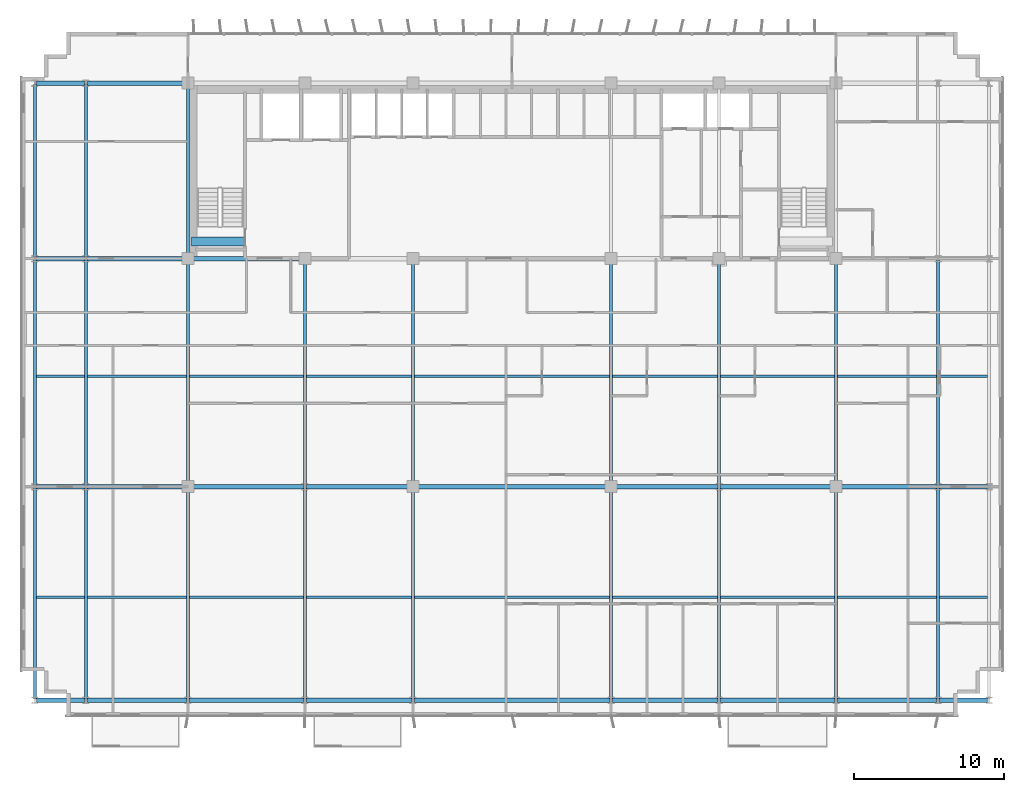
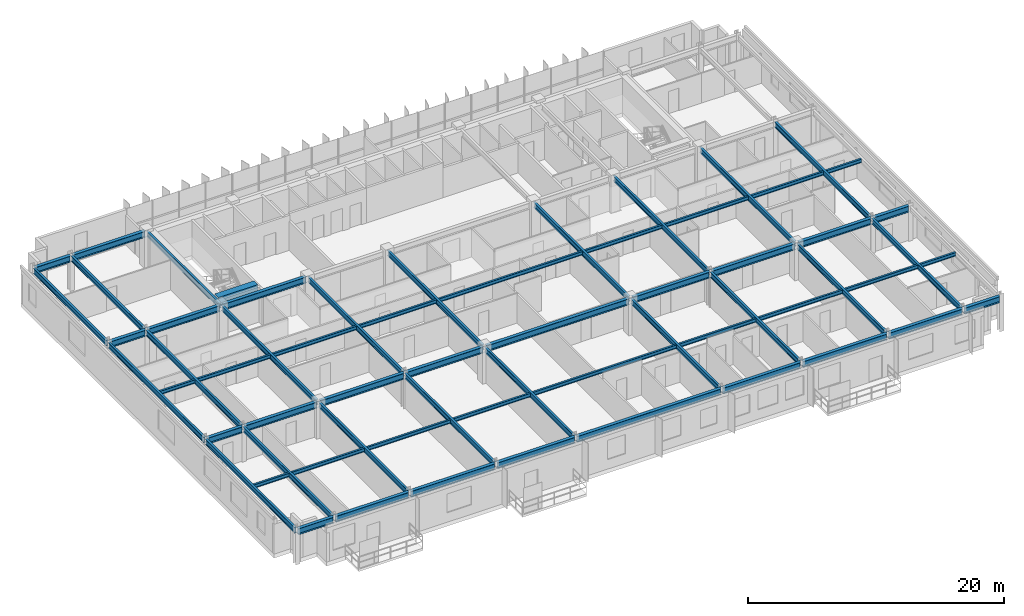
# One storey, part 4 of 22: 63 beams.
"""IFC4 building model written with IfcOpenShell, lengths in metres."""

from ifc_helpers import new_model, si_unit, direction, frame, origin, origin_2d, place, context, subcontext, project, spatial, rectangle, i_section, extrude, source, transform, mapped, material, material_profile, profile_set, type_object, element, save


model = new_model("IFC4")

# Units and contexts
model_context = context("Model", 3, precision=1e-05, world=origin(), true_north=direction((0.0, 1.0)))
body_context = subcontext(model_context, "Body", "Model", "MODEL_VIEW")
ifc_project = project(units=[si_unit("LENGTHUNIT", "METRE"), si_unit("AREAUNIT", "SQUARE_METRE"), si_unit("VOLUMEUNIT", "CUBIC_METRE"), si_unit("PLANEANGLEUNIT", "RADIAN"), si_unit("MASSUNIT", "GRAM", prefix="KILO")], contexts=[model_context])

# Site, building, storey
site_placement = place(None, origin())
site = spatial("IfcSite", under=ifc_project, at=site_placement, CompositionType="ELEMENT")
building_placement = place(site_placement, origin())
building = spatial("IfcBuilding", under=site, at=building_placement, Name="Trelvane Seafront Commons", CompositionType="ELEMENT")
storey_placement = place(building_placement, frame((0.0, 0.0, 81.699951171875)))
storey = spatial("IfcBuildingStorey", under=building, at=storey_placement, Name="L20", CompositionType="ELEMENT", Elevation=81.699951171875)

# Beams
ifc_material_1 = material(Name="Concrete C60/75", Category="concrete")
ifc_material_profile_1 = material_profile(ifc_material_1, rectangle(XDim=0.60009765625, YDim=0.89990234375, at=origin_2d()), Name="RC-600x900")
ifc_profile_set_1 = profile_set([ifc_material_profile_1], Name="Concrete C60/75")
beam_type_1 = type_object("IfcBeamType", Name="STR-LNT-RC600x900", PredefinedType="LINTEL", material=ifc_profile_set_1)
shared_shape_1 = source(origin(), body_context, "Body", "SweptSolid", [
    extrude(rectangle(XDim=0.60009765625, YDim=0.89990234375, at=origin_2d()), origin(), (0.0, 0.0, 1.0), 3.5498046875),
])
beam_1_placement = place(storey_placement, frame((15.85009765625, 34.550048828125, 2.89013671875), z_axis=(1.0, 0.0, 0.0), x_axis=(0.0, 1.0, 0.0)))
element("IfcBeam", 1, at=beam_1_placement, inside=storey, type_object=beam_type_1, Name="L20 Core Coupling Lintel Beam CB-85", PredefinedType="LINTEL", context=body_context, shape_type="MappedRepresentation", body=[
    mapped(shared_shape_1, transform((0.0, 0.0, 0.0), x_axis=(1.0, 0.0, 0.0), y_axis=(0.0, 1.0, 0.0), z_axis=(0.0, 0.0, 1.0), scale=1.0)),
])
ifc_material_2 = material(Name="Steel SM355 (S355)", Category="steel")
ifc_material_profile_2 = material_profile(ifc_material_2, i_section(OverallWidth=0.300048828125, OverallDepth=0.587890625, WebThickness=0.011962890625, FlangeThickness=0.02001953125, at=origin_2d()), Name="H-588x300x12x20")
ifc_profile_set_2 = profile_set([ifc_material_profile_2], Name="Steel SM355 (S355)")
beam_type_2 = type_object("IfcBeamType", Name="STR-BM-H588", PredefinedType="BEAM", material=ifc_profile_set_2)
shared_shape_2 = source(origin(), body_context, "Body", "SweptSolid", [
    extrude(i_section(OverallWidth=0.300048828125, OverallDepth=0.587890625, WebThickness=0.011962890625, FlangeThickness=0.02001953125, at=origin_2d()), origin(), (0.0, 0.0, 1.0), 7.550048828125),
])
beam_2_placement = place(storey_placement, frame((15.75, 18.199951171875, 3.046142578125), z_axis=(1.0, 0.0, 0.0), x_axis=(0.0, 1.0, 0.0)))
element("IfcBeam", 2, at=beam_2_placement, inside=storey, type_object=beam_type_2, Name="L20 Primary Girder G-12", PredefinedType="BEAM", context=body_context, shape_type="MappedRepresentation", body=[
    mapped(shared_shape_2, transform((0.0, 0.0, 0.0), x_axis=(1.0, 0.0, 0.0), y_axis=(0.0, 1.0, 0.0), z_axis=(0.0, 0.0, 1.0), scale=1.0)),
])
shared_shape_3 = source(origin(), body_context, "Body", "SweptSolid", [
    extrude(i_section(OverallWidth=0.300048828125, OverallDepth=0.587890625, WebThickness=0.011962890625, FlangeThickness=0.02001953125, at=origin_2d()), origin(), (0.0, 0.0, 1.0), 3.199951171875),
])
for number, where, z_axis, x_axis, name in (
    (3, (5.5, 3.949951171875, 3.046142578125), (1.0, 0.0, 0.0), (0.0, 1.0, 0.0), "L20 Primary Girder G-01"),
    (4, (65.699951171875, 3.949951171875, 3.046142578125), (1.0, 0.0, 0.0), (0.0, 1.0, 0.0), "L20 Primary Girder G-09"),
    (5, (5.5, 18.199951171875, 3.046142578125), (1.0, 0.0, 0.0), (0.0, 1.0, 0.0), "L20 Primary Girder G-10"),
    (6, (65.699951171875, 18.199951171875, 3.046142578125), (1.0, 0.0, 0.0), (0.0, 1.0, 0.0), "L20 Primary Girder G-18"),
    (7, (5.5, 33.39990234375, 3.046142578125), (1.0, 0.0, 0.0), (0.0, 1.0, 0.0), "L20 Primary Girder G-19"),
    (8, (5.5, 45.10009765625, 3.046142578125), (1.0, 0.0, 0.0), (0.0, 1.0, 0.0), "L20 Primary Girder G-28"),
):
    element("IfcBeam", number, at=place(storey_placement, frame(where, z_axis=z_axis, x_axis=x_axis)), inside=storey, type_object=beam_type_2, Name=name, PredefinedType="BEAM", context=body_context, shape_type="MappedRepresentation", body=[
        mapped(shared_shape_3, transform((0.0, 0.0, 0.0), x_axis=(1.0, 0.0, 0.0), y_axis=(0.0, 1.0, 0.0), z_axis=(0.0, 0.0, 1.0), scale=1.0)),
    ])
shared_shape_4 = source(origin(), body_context, "Body", "SweptSolid", [
    extrude(i_section(OverallWidth=0.300048828125, OverallDepth=0.587890625, WebThickness=0.011962890625, FlangeThickness=0.02001953125, at=origin_2d()), origin(), (0.0, 0.0, 1.0), 6.60009765625),
])
for number, where, z_axis, x_axis, name in (
    (9, (8.89990234375, 3.949951171875, 3.046142578125), (1.0, 0.0, 0.0), (0.0, 1.0, 0.0), "L20 Primary Girder G-02"),
    (10, (58.89990234375, 3.949951171875, 3.046142578125), (1.0, 0.0, 0.0), (0.0, 1.0, 0.0), "L20 Primary Girder G-08"),
):
    element("IfcBeam", number, at=place(storey_placement, frame(where, z_axis=z_axis, x_axis=x_axis)), inside=storey, type_object=beam_type_2, Name=name, PredefinedType="BEAM", context=body_context, shape_type="MappedRepresentation", body=[
        mapped(shared_shape_4, transform((0.0, 0.0, 0.0), x_axis=(1.0, 0.0, 0.0), y_axis=(0.0, 1.0, 0.0), z_axis=(0.0, 0.0, 1.0), scale=1.0)),
    ])
shared_shape_5 = source(origin(), body_context, "Body", "SweptSolid", [
    extrude(i_section(OverallWidth=0.300048828125, OverallDepth=0.587890625, WebThickness=0.011962890625, FlangeThickness=0.02001953125, at=origin_2d()), origin(), (0.0, 0.0, 1.0), 7.60009765625),
])
beam_3_placement = place(storey_placement, frame((15.699951171875, 3.949951171875, 3.046142578125), z_axis=(1.0, 0.0, 0.0), x_axis=(0.0, 1.0, 0.0)))
element("IfcBeam", 11, at=beam_3_placement, inside=storey, type_object=beam_type_2, Name="L20 Primary Girder G-03", PredefinedType="BEAM", context=body_context, shape_type="MappedRepresentation", body=[
    mapped(shared_shape_5, transform((0.0, 0.0, 0.0), x_axis=(1.0, 0.0, 0.0), y_axis=(0.0, 1.0, 0.0), z_axis=(0.0, 0.0, 1.0), scale=1.0)),
])
shared_shape_6 = source(origin(), body_context, "Body", "SweptSolid", [
    extrude(i_section(OverallWidth=0.300048828125, OverallDepth=0.587890625, WebThickness=0.011962890625, FlangeThickness=0.02001953125, at=origin_2d()), origin(), (0.0, 0.0, 1.0), 7.0),
])
for number, where, z_axis, x_axis, name in (
    (12, (23.5, 3.949951171875, 3.046142578125), (1.0, 0.0, 0.0), (0.0, 1.0, 0.0), "L20 Primary Girder G-04"),
    (13, (43.89990234375, 3.949951171875, 3.046142578125), (1.0, 0.0, 0.0), (0.0, 1.0, 0.0), "L20 Primary Girder G-06"),
):
    element("IfcBeam", number, at=place(storey_placement, frame(where, z_axis=z_axis, x_axis=x_axis)), inside=storey, type_object=beam_type_2, Name=name, PredefinedType="BEAM", context=body_context, shape_type="MappedRepresentation", body=[
        mapped(shared_shape_6, transform((0.0, 0.0, 0.0), x_axis=(1.0, 0.0, 0.0), y_axis=(0.0, 1.0, 0.0), z_axis=(0.0, 0.0, 1.0), scale=1.0)),
    ])
shared_shape_7 = source(origin(), body_context, "Body", "SweptSolid", [
    extrude(i_section(OverallWidth=0.300048828125, OverallDepth=0.587890625, WebThickness=0.011962890625, FlangeThickness=0.02001953125, at=origin_2d()), origin(), (0.0, 0.0, 1.0), 13.0),
])
beam_4_placement = place(storey_placement, frame((30.699951171875, 3.949951171875, 3.046142578125), z_axis=(1.0, 0.0, 0.0), x_axis=(0.0, 1.0, 0.0)))
element("IfcBeam", 14, at=beam_4_placement, inside=storey, type_object=beam_type_2, Name="L20 Primary Girder G-05", PredefinedType="BEAM", context=body_context, shape_type="MappedRepresentation", body=[
    mapped(shared_shape_7, transform((0.0, 0.0, 0.0), x_axis=(1.0, 0.0, 0.0), y_axis=(0.0, 1.0, 0.0), z_axis=(0.0, 0.0, 1.0), scale=1.0)),
])
shared_shape_8 = source(origin(), body_context, "Body", "SweptSolid", [
    extrude(i_section(OverallWidth=0.300048828125, OverallDepth=0.587890625, WebThickness=0.011962890625, FlangeThickness=0.02001953125, at=origin_2d()), origin(), (0.0, 0.0, 1.0), 7.599853515625),
])
beam_5_placement = place(storey_placement, frame((51.10009765625, 3.949951171875, 3.046142578125), z_axis=(1.0, 0.0, 0.0), x_axis=(0.0, 1.0, 0.0)))
element("IfcBeam", 15, at=beam_5_placement, inside=storey, type_object=beam_type_2, Name="L20 Primary Girder G-07", PredefinedType="BEAM", context=body_context, shape_type="MappedRepresentation", body=[
    mapped(shared_shape_8, transform((0.0, 0.0, 0.0), x_axis=(1.0, 0.0, 0.0), y_axis=(0.0, 1.0, 0.0), z_axis=(0.0, 0.0, 1.0), scale=1.0)),
])
shared_shape_9 = source(origin(), body_context, "Body", "SweptSolid", [
    extrude(i_section(OverallWidth=0.300048828125, OverallDepth=0.587890625, WebThickness=0.011962890625, FlangeThickness=0.02001953125, at=origin_2d()), origin(), (0.0, 0.0, 1.0), 6.550048828125),
])
for number, where, z_axis, x_axis, name in (
    (16, (8.89990234375, 18.199951171875, 3.046142578125), (1.0, 0.0, 0.0), (0.0, 1.0, 0.0), "L20 Primary Girder G-11"),
    (17, (58.949951171875, 18.199951171875, 3.046142578125), (1.0, 0.0, 0.0), (0.0, 1.0, 0.0), "L20 Primary Girder G-17"),
    (18, (8.89990234375, 33.39990234375, 3.046142578125), (1.0, 0.0, 0.0), (0.0, 1.0, 0.0), "L20 Primary Girder G-20"),
    (19, (8.89990234375, 45.10009765625, 3.046142578125), (1.0, 0.0, 0.0), (0.0, 1.0, 0.0), "L20 Primary Girder G-29"),
):
    element("IfcBeam", number, at=place(storey_placement, frame(where, z_axis=z_axis, x_axis=x_axis)), inside=storey, type_object=beam_type_2, Name=name, PredefinedType="BEAM", context=body_context, shape_type="MappedRepresentation", body=[
        mapped(shared_shape_9, transform((0.0, 0.0, 0.0), x_axis=(1.0, 0.0, 0.0), y_axis=(0.0, 1.0, 0.0), z_axis=(0.0, 0.0, 1.0), scale=1.0)),
    ])
shared_shape_10 = source(origin(), body_context, "Body", "SweptSolid", [
    extrude(i_section(OverallWidth=0.300048828125, OverallDepth=0.587890625, WebThickness=0.011962890625, FlangeThickness=0.02001953125, at=origin_2d()), origin(), (0.0, 0.0, 1.0), 6.949951171875),
])
for number, where, z_axis, x_axis, name in (
    (20, (23.5, 18.199951171875, 3.046142578125), (1.0, 0.0, 0.0), (0.0, 1.0, 0.0), "L20 Primary Girder G-13"),
    (21, (43.949951171875, 18.199951171875, 3.046142578125), (1.0, 0.0, 0.0), (0.0, 1.0, 0.0), "L20 Primary Girder G-15"),
):
    element("IfcBeam", number, at=place(storey_placement, frame(where, z_axis=z_axis, x_axis=x_axis)), inside=storey, type_object=beam_type_2, Name=name, PredefinedType="BEAM", context=body_context, shape_type="MappedRepresentation", body=[
        mapped(shared_shape_10, transform((0.0, 0.0, 0.0), x_axis=(1.0, 0.0, 0.0), y_axis=(0.0, 1.0, 0.0), z_axis=(0.0, 0.0, 1.0), scale=1.0)),
    ])
shared_shape_11 = source(origin(), body_context, "Body", "SweptSolid", [
    extrude(i_section(OverallWidth=0.300048828125, OverallDepth=0.587890625, WebThickness=0.011962890625, FlangeThickness=0.02001953125, at=origin_2d()), origin(), (0.0, 0.0, 1.0), 12.89990234375),
])
beam_6_placement = place(storey_placement, frame((30.75, 18.199951171875, 3.046142578125), z_axis=(1.0, 0.0, 0.0), x_axis=(0.0, 1.0, 0.0)))
element("IfcBeam", 22, at=beam_6_placement, inside=storey, type_object=beam_type_2, Name="L20 Primary Girder G-14", PredefinedType="BEAM", context=body_context, shape_type="MappedRepresentation", body=[
    mapped(shared_shape_11, transform((0.0, 0.0, 0.0), x_axis=(1.0, 0.0, 0.0), y_axis=(0.0, 1.0, 0.0), z_axis=(0.0, 0.0, 1.0), scale=1.0)),
])
shared_shape_12 = source(origin(), body_context, "Body", "SweptSolid", [
    extrude(i_section(OverallWidth=0.300048828125, OverallDepth=0.587890625, WebThickness=0.011962890625, FlangeThickness=0.02001953125, at=origin_2d()), origin(), (0.0, 0.0, 1.0), 7.5498046875),
])
beam_7_placement = place(storey_placement, frame((51.10009765625, 18.199951171875, 3.046142578125), z_axis=(1.0, 0.0, 0.0), x_axis=(0.0, 1.0, 0.0)))
element("IfcBeam", 23, at=beam_7_placement, inside=storey, type_object=beam_type_2, Name="L20 Primary Girder G-16", PredefinedType="BEAM", context=body_context, shape_type="MappedRepresentation", body=[
    mapped(shared_shape_12, transform((0.0, 0.0, 0.0), x_axis=(1.0, 0.0, 0.0), y_axis=(0.0, 1.0, 0.0), z_axis=(0.0, 0.0, 1.0), scale=1.0)),
])
shared_shape_13 = source(origin(), body_context, "Body", "SweptSolid", [
    extrude(i_section(OverallWidth=0.300048828125, OverallDepth=0.587890625, WebThickness=0.011962890625, FlangeThickness=0.02001953125, at=origin_2d()), origin(), (0.0, 0.0, 1.0), 7.5),
])
beam_8_placement = place(storey_placement, frame((15.75, 33.39990234375, 3.046142578125), z_axis=(1.0, 0.0, 0.0), x_axis=(0.0, 1.0, 0.0)))
element("IfcBeam", 24, at=beam_8_placement, inside=storey, type_object=beam_type_2, Name="L20 Primary Girder G-21", PredefinedType="BEAM", context=body_context, shape_type="MappedRepresentation", body=[
    mapped(shared_shape_13, transform((0.0, 0.0, 0.0), x_axis=(1.0, 0.0, 0.0), y_axis=(0.0, 1.0, 0.0), z_axis=(0.0, 0.0, 1.0), scale=1.0)),
])
ifc_material_profile_3 = material_profile(ifc_material_2, i_section(OverallWidth=0.199951171875, OverallDepth=0.5, WebThickness=0.010009765625, FlangeThickness=0.01611328125, at=origin_2d()), Name="H-500x200x10x16")
ifc_profile_set_3 = profile_set([ifc_material_profile_3], Name="Steel SM355 (S355)")
beam_type_3 = type_object("IfcBeamType", Name="STR-BM-H500", PredefinedType="BEAM", material=ifc_profile_set_3)
shared_shape_14 = source(origin(), body_context, "Body", "SweptSolid", [
    extrude(i_section(OverallWidth=0.199951171875, OverallDepth=0.5, WebThickness=0.010009765625, FlangeThickness=0.01611328125, at=origin_2d()), origin(), (0.0, 0.0, 1.0), 14.050048828125),
])
for number, where, z_axis, x_axis, name in (
    (25, (5.39990234375, 4.050048828125, 3.090087890625), (0.0, 1.0, 0.0), (-1.0, 0.0, 0.0), "L20 Primary Girder G-37"),
    (26, (8.800048828125, 4.050048828125, 3.090087890625), (0.0, 1.0, 0.0), (-1.0, 0.0, 0.0), "L20 Primary Girder G-40"),
    (27, (23.39990234375, 4.050048828125, 3.090087890625), (0.0, 1.0, 0.0), (-1.0, 0.0, 0.0), "L20 Primary Girder G-46"),
    (28, (51.0, 4.050048828125, 3.090087890625), (0.0, 1.0, 0.0), (-1.0, 0.0, 0.0), "L20 Primary Girder G-55"),
    (29, (65.60009765625, 4.050048828125, 3.090087890625), (0.0, 1.0, 0.0), (-1.0, 0.0, 0.0), "L20 Primary Girder G-61"),
):
    element("IfcBeam", number, at=place(storey_placement, frame(where, z_axis=z_axis, x_axis=x_axis)), inside=storey, type_object=beam_type_3, Name=name, PredefinedType="BEAM", context=body_context, shape_type="MappedRepresentation", body=[
        mapped(shared_shape_14, transform((0.0, 0.0, 0.0), x_axis=(1.0, 0.0, 0.0), y_axis=(0.0, 1.0, 0.0), z_axis=(0.0, 0.0, 1.0), scale=1.0)),
    ])
shared_shape_15 = source(origin(), body_context, "Body", "SweptSolid", [
    extrude(i_section(OverallWidth=0.199951171875, OverallDepth=0.5, WebThickness=0.010009765625, FlangeThickness=0.01611328125, at=origin_2d()), origin(), (0.0, 0.0, 1.0), 15.0),
])
for number, where, z_axis, x_axis, name in (
    (30, (5.39990234375, 18.300048828125, 3.090087890625), (0.0, 1.0, 0.0), (-1.0, 0.0, 0.0), "L20 Primary Girder G-38"),
    (31, (8.800048828125, 18.300048828125, 3.090087890625), (0.0, 1.0, 0.0), (-1.0, 0.0, 0.0), "L20 Primary Girder G-41"),
    (32, (65.60009765625, 18.300048828125, 3.090087890625), (0.0, 1.0, 0.0), (-1.0, 0.0, 0.0), "L20 Primary Girder G-62"),
):
    element("IfcBeam", number, at=place(storey_placement, frame(where, z_axis=z_axis, x_axis=x_axis)), inside=storey, type_object=beam_type_3, Name=name, PredefinedType="BEAM", context=body_context, shape_type="MappedRepresentation", body=[
        mapped(shared_shape_15, transform((0.0, 0.0, 0.0), x_axis=(1.0, 0.0, 0.0), y_axis=(0.0, 1.0, 0.0), z_axis=(0.0, 0.0, 1.0), scale=1.0)),
    ])
shared_shape_16 = source(origin(), body_context, "Body", "SweptSolid", [
    extrude(i_section(OverallWidth=0.199951171875, OverallDepth=0.5, WebThickness=0.010009765625, FlangeThickness=0.01611328125, at=origin_2d()), origin(), (0.0, 0.0, 1.0), 11.5),
])
for number, where, z_axis, x_axis, name in (
    (33, (5.39990234375, 33.5, 3.090087890625), (0.0, 1.0, 0.0), (-1.0, 0.0, 0.0), "L20 Primary Girder G-39"),
    (34, (8.800048828125, 33.5, 3.090087890625), (0.0, 1.0, 0.0), (-1.0, 0.0, 0.0), "L20 Primary Girder G-42"),
):
    element("IfcBeam", number, at=place(storey_placement, frame(where, z_axis=z_axis, x_axis=x_axis)), inside=storey, type_object=beam_type_3, Name=name, PredefinedType="BEAM", context=body_context, shape_type="MappedRepresentation", body=[
        mapped(shared_shape_16, transform((0.0, 0.0, 0.0), x_axis=(1.0, 0.0, 0.0), y_axis=(0.0, 1.0, 0.0), z_axis=(0.0, 0.0, 1.0), scale=1.0)),
    ])
shared_shape_17 = source(origin(), body_context, "Body", "SweptSolid", [
    extrude(i_section(OverallWidth=0.199951171875, OverallDepth=0.5, WebThickness=0.010009765625, FlangeThickness=0.01611328125, at=origin_2d()), origin(), (0.0, 0.0, 1.0), 14.0),
])
for number, where, z_axis, x_axis, name in (
    (35, (15.60009765625, 4.050048828125, 3.090087890625), (0.0, 1.0, 0.0), (-1.0, 0.0, 0.0), "L20 Primary Girder G-43"),
    (36, (30.60009765625, 4.050048828125, 3.090087890625), (0.0, 1.0, 0.0), (-1.0, 0.0, 0.0), "L20 Primary Girder G-49"),
    (37, (43.800048828125, 4.050048828125, 3.090087890625), (0.0, 1.0, 0.0), (-1.0, 0.0, 0.0), "L20 Primary Girder G-52"),
    (38, (58.800048828125, 4.050048828125, 3.090087890625), (0.0, 1.0, 0.0), (-1.0, 0.0, 0.0), "L20 Primary Girder G-58"),
):
    element("IfcBeam", number, at=place(storey_placement, frame(where, z_axis=z_axis, x_axis=x_axis)), inside=storey, type_object=beam_type_3, Name=name, PredefinedType="BEAM", context=body_context, shape_type="MappedRepresentation", body=[
        mapped(shared_shape_17, transform((0.0, 0.0, 0.0), x_axis=(1.0, 0.0, 0.0), y_axis=(0.0, 1.0, 0.0), z_axis=(0.0, 0.0, 1.0), scale=1.0)),
    ])
shared_shape_18 = source(origin(), body_context, "Body", "SweptSolid", [
    extrude(i_section(OverallWidth=0.199951171875, OverallDepth=0.5, WebThickness=0.010009765625, FlangeThickness=0.01611328125, at=origin_2d()), origin(), (0.0, 0.0, 1.0), 14.89990234375),
])
for number, where, z_axis, x_axis, name in (
    (39, (15.60009765625, 18.35009765625, 3.090087890625), (0.0, 1.0, 0.0), (-1.0, 0.0, 0.0), "L20 Primary Girder G-44"),
    (40, (30.60009765625, 18.35009765625, 3.090087890625), (0.0, 1.0, 0.0), (-1.0, 0.0, 0.0), "L20 Primary Girder G-50"),
    (41, (43.800048828125, 18.35009765625, 3.090087890625), (0.0, 1.0, 0.0), (-1.0, 0.0, 0.0), "L20 Primary Girder G-53"),
    (42, (58.800048828125, 18.35009765625, 3.090087890625), (0.0, 1.0, 0.0), (-1.0, 0.0, 0.0), "L20 Primary Girder G-59"),
):
    element("IfcBeam", number, at=place(storey_placement, frame(where, z_axis=z_axis, x_axis=x_axis)), inside=storey, type_object=beam_type_3, Name=name, PredefinedType="BEAM", context=body_context, shape_type="MappedRepresentation", body=[
        mapped(shared_shape_18, transform((0.0, 0.0, 0.0), x_axis=(1.0, 0.0, 0.0), y_axis=(0.0, 1.0, 0.0), z_axis=(0.0, 0.0, 1.0), scale=1.0)),
    ])
shared_shape_19 = source(origin(), body_context, "Body", "SweptSolid", [
    extrude(i_section(OverallWidth=0.199951171875, OverallDepth=0.5, WebThickness=0.010009765625, FlangeThickness=0.01611328125, at=origin_2d()), origin(), (0.0, 0.0, 1.0), 11.39990234375),
])
beam_9_placement = place(storey_placement, frame((15.60009765625, 33.550048828125, 3.090087890625), z_axis=(0.0, 1.0, 0.0), x_axis=(-1.0, 0.0, 0.0)))
element("IfcBeam", 43, at=beam_9_placement, inside=storey, type_object=beam_type_3, Name="L20 Primary Girder G-45", PredefinedType="BEAM", context=body_context, shape_type="MappedRepresentation", body=[
    mapped(shared_shape_19, transform((0.0, 0.0, 0.0), x_axis=(1.0, 0.0, 0.0), y_axis=(0.0, 1.0, 0.0), z_axis=(0.0, 0.0, 1.0), scale=1.0)),
])
shared_shape_20 = source(origin(), body_context, "Body", "SweptSolid", [
    extrude(i_section(OverallWidth=0.199951171875, OverallDepth=0.5, WebThickness=0.010009765625, FlangeThickness=0.01611328125, at=origin_2d()), origin(), (0.0, 0.0, 1.0), 14.949951171875),
])
for number, where, z_axis, x_axis, name in (
    (44, (23.39990234375, 18.300048828125, 3.090087890625), (0.0, 1.0, 0.0), (-1.0, 0.0, 0.0), "L20 Primary Girder G-47"),
    (45, (51.0, 18.300048828125, 3.090087890625), (0.0, 1.0, 0.0), (-1.0, 0.0, 0.0), "L20 Primary Girder G-56"),
):
    element("IfcBeam", number, at=place(storey_placement, frame(where, z_axis=z_axis, x_axis=x_axis)), inside=storey, type_object=beam_type_3, Name=name, PredefinedType="BEAM", context=body_context, shape_type="MappedRepresentation", body=[
        mapped(shared_shape_20, transform((0.0, 0.0, 0.0), x_axis=(1.0, 0.0, 0.0), y_axis=(0.0, 1.0, 0.0), z_axis=(0.0, 0.0, 1.0), scale=1.0)),
    ])
ifc_material_profile_4 = material_profile(ifc_material_2, i_section(OverallWidth=0.175048828125, OverallDepth=0.35009765625, WebThickness=0.007080078125, FlangeThickness=0.010986328125, at=origin_2d()), Name="H-350x175x7x11")
ifc_profile_set_4 = profile_set([ifc_material_profile_4], Name="Steel SM355 (S355)")
beam_type_4 = type_object("IfcBeamType", Name="STR-JST-H350", PredefinedType="JOIST", material=ifc_profile_set_4)
shared_shape_21 = source(origin(), body_context, "Body", "SweptSolid", [
    extrude(i_section(OverallWidth=0.175048828125, OverallDepth=0.35009765625, WebThickness=0.007080078125, FlangeThickness=0.010986328125, at=origin_2d()), origin(), (0.0, 0.0, 1.0), 3.199951171875),
])
for number, where, z_axis, x_axis, name in (
    (46, (5.5, 10.824951171875, 3.1650390625), (1.0, 0.0, 0.0), (0.0, 1.0, 0.0), "L20 Secondary Floor Joist B-67"),
    (47, (65.699951171875, 10.824951171875, 3.1650390625), (1.0, 0.0, 0.0), (0.0, 1.0, 0.0), "L20 Secondary Floor Joist B-75"),
    (48, (5.5, 25.550048828125, 3.1650390625), (1.0, 0.0, 0.0), (0.0, 1.0, 0.0), "L20 Secondary Floor Joist B-76"),
    (49, (65.699951171875, 25.550048828125, 3.1650390625), (1.0, 0.0, 0.0), (0.0, 1.0, 0.0), "L20 Secondary Floor Joist B-84"),
):
    element("IfcBeam", number, at=place(storey_placement, frame(where, z_axis=z_axis, x_axis=x_axis)), inside=storey, type_object=beam_type_4, Name=name, PredefinedType="JOIST", context=body_context, shape_type="MappedRepresentation", body=[
        mapped(shared_shape_21, transform((0.0, 0.0, 0.0), x_axis=(1.0, 0.0, 0.0), y_axis=(0.0, 1.0, 0.0), z_axis=(0.0, 0.0, 1.0), scale=1.0)),
    ])
shared_shape_22 = source(origin(), body_context, "Body", "SweptSolid", [
    extrude(i_section(OverallWidth=0.175048828125, OverallDepth=0.35009765625, WebThickness=0.007080078125, FlangeThickness=0.010986328125, at=origin_2d()), origin(), (0.0, 0.0, 1.0), 6.60009765625),
])
for number, where, z_axis, x_axis, name in (
    (50, (8.89990234375, 10.824951171875, 3.1650390625), (1.0, 0.0, 0.0), (0.0, 1.0, 0.0), "L20 Secondary Floor Joist B-68"),
    (51, (58.89990234375, 10.824951171875, 3.1650390625), (1.0, 0.0, 0.0), (0.0, 1.0, 0.0), "L20 Secondary Floor Joist B-74"),
    (52, (8.89990234375, 25.550048828125, 3.1650390625), (1.0, 0.0, 0.0), (0.0, 1.0, 0.0), "L20 Secondary Floor Joist B-77"),
    (53, (58.89990234375, 25.550048828125, 3.1650390625), (1.0, 0.0, 0.0), (0.0, 1.0, 0.0), "L20 Secondary Floor Joist B-83"),
):
    element("IfcBeam", number, at=place(storey_placement, frame(where, z_axis=z_axis, x_axis=x_axis)), inside=storey, type_object=beam_type_4, Name=name, PredefinedType="JOIST", context=body_context, shape_type="MappedRepresentation", body=[
        mapped(shared_shape_22, transform((0.0, 0.0, 0.0), x_axis=(1.0, 0.0, 0.0), y_axis=(0.0, 1.0, 0.0), z_axis=(0.0, 0.0, 1.0), scale=1.0)),
    ])
shared_shape_23 = source(origin(), body_context, "Body", "SweptSolid", [
    extrude(i_section(OverallWidth=0.175048828125, OverallDepth=0.35009765625, WebThickness=0.007080078125, FlangeThickness=0.010986328125, at=origin_2d()), origin(), (0.0, 0.0, 1.0), 7.60009765625),
])
for number, where, z_axis, x_axis, name in (
    (54, (15.699951171875, 10.824951171875, 3.1650390625), (1.0, 0.0, 0.0), (0.0, 1.0, 0.0), "L20 Secondary Floor Joist B-69"),
    (55, (15.699951171875, 25.550048828125, 3.1650390625), (1.0, 0.0, 0.0), (0.0, 1.0, 0.0), "L20 Secondary Floor Joist B-78"),
):
    element("IfcBeam", number, at=place(storey_placement, frame(where, z_axis=z_axis, x_axis=x_axis)), inside=storey, type_object=beam_type_4, Name=name, PredefinedType="JOIST", context=body_context, shape_type="MappedRepresentation", body=[
        mapped(shared_shape_23, transform((0.0, 0.0, 0.0), x_axis=(1.0, 0.0, 0.0), y_axis=(0.0, 1.0, 0.0), z_axis=(0.0, 0.0, 1.0), scale=1.0)),
    ])
shared_shape_24 = source(origin(), body_context, "Body", "SweptSolid", [
    extrude(i_section(OverallWidth=0.175048828125, OverallDepth=0.35009765625, WebThickness=0.007080078125, FlangeThickness=0.010986328125, at=origin_2d()), origin(), (0.0, 0.0, 1.0), 7.0),
])
for number, where, z_axis, x_axis, name in (
    (56, (23.5, 10.824951171875, 3.1650390625), (1.0, 0.0, 0.0), (0.0, 1.0, 0.0), "L20 Secondary Floor Joist B-70"),
    (57, (43.89990234375, 10.824951171875, 3.1650390625), (1.0, 0.0, 0.0), (0.0, 1.0, 0.0), "L20 Secondary Floor Joist B-72"),
    (58, (23.5, 25.550048828125, 3.1650390625), (1.0, 0.0, 0.0), (0.0, 1.0, 0.0), "L20 Secondary Floor Joist B-79"),
    (59, (43.89990234375, 25.550048828125, 3.1650390625), (1.0, 0.0, 0.0), (0.0, 1.0, 0.0), "L20 Secondary Floor Joist B-81"),
):
    element("IfcBeam", number, at=place(storey_placement, frame(where, z_axis=z_axis, x_axis=x_axis)), inside=storey, type_object=beam_type_4, Name=name, PredefinedType="JOIST", context=body_context, shape_type="MappedRepresentation", body=[
        mapped(shared_shape_24, transform((0.0, 0.0, 0.0), x_axis=(1.0, 0.0, 0.0), y_axis=(0.0, 1.0, 0.0), z_axis=(0.0, 0.0, 1.0), scale=1.0)),
    ])
shared_shape_25 = source(origin(), body_context, "Body", "SweptSolid", [
    extrude(i_section(OverallWidth=0.175048828125, OverallDepth=0.35009765625, WebThickness=0.007080078125, FlangeThickness=0.010986328125, at=origin_2d()), origin(), (0.0, 0.0, 1.0), 13.0),
])
for number, where, z_axis, x_axis, name in (
    (60, (30.699951171875, 10.824951171875, 3.1650390625), (1.0, 0.0, 0.0), (0.0, 1.0, 0.0), "L20 Secondary Floor Joist B-71"),
    (61, (30.699951171875, 25.550048828125, 3.1650390625), (1.0, 0.0, 0.0), (0.0, 1.0, 0.0), "L20 Secondary Floor Joist B-80"),
):
    element("IfcBeam", number, at=place(storey_placement, frame(where, z_axis=z_axis, x_axis=x_axis)), inside=storey, type_object=beam_type_4, Name=name, PredefinedType="JOIST", context=body_context, shape_type="MappedRepresentation", body=[
        mapped(shared_shape_25, transform((0.0, 0.0, 0.0), x_axis=(1.0, 0.0, 0.0), y_axis=(0.0, 1.0, 0.0), z_axis=(0.0, 0.0, 1.0), scale=1.0)),
    ])
shared_shape_26 = source(origin(), body_context, "Body", "SweptSolid", [
    extrude(i_section(OverallWidth=0.175048828125, OverallDepth=0.35009765625, WebThickness=0.007080078125, FlangeThickness=0.010986328125, at=origin_2d()), origin(), (0.0, 0.0, 1.0), 7.599853515625),
])
for number, where, z_axis, x_axis, name in (
    (62, (51.10009765625, 10.824951171875, 3.1650390625), (1.0, 0.0, 0.0), (0.0, 1.0, 0.0), "L20 Secondary Floor Joist B-73"),
    (63, (51.10009765625, 25.550048828125, 3.1650390625), (1.0, 0.0, 0.0), (0.0, 1.0, 0.0), "L20 Secondary Floor Joist B-82"),
):
    element("IfcBeam", number, at=place(storey_placement, frame(where, z_axis=z_axis, x_axis=x_axis)), inside=storey, type_object=beam_type_4, Name=name, PredefinedType="JOIST", context=body_context, shape_type="MappedRepresentation", body=[
        mapped(shared_shape_26, transform((0.0, 0.0, 0.0), x_axis=(1.0, 0.0, 0.0), y_axis=(0.0, 1.0, 0.0), z_axis=(0.0, 0.0, 1.0), scale=1.0)),
    ])

save(model, "model.ifc")
